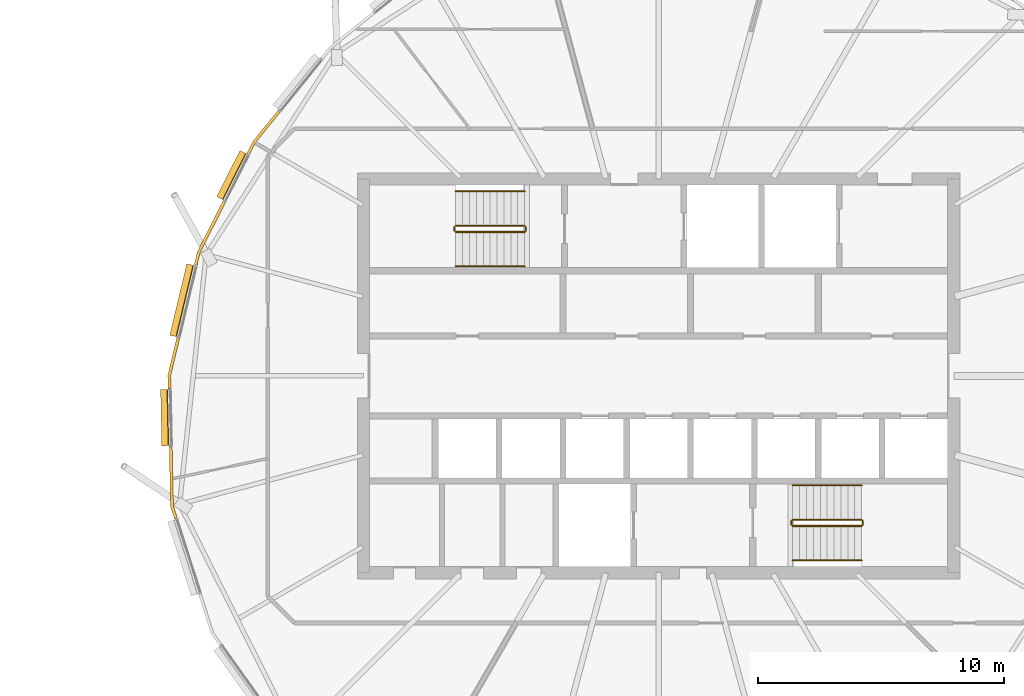
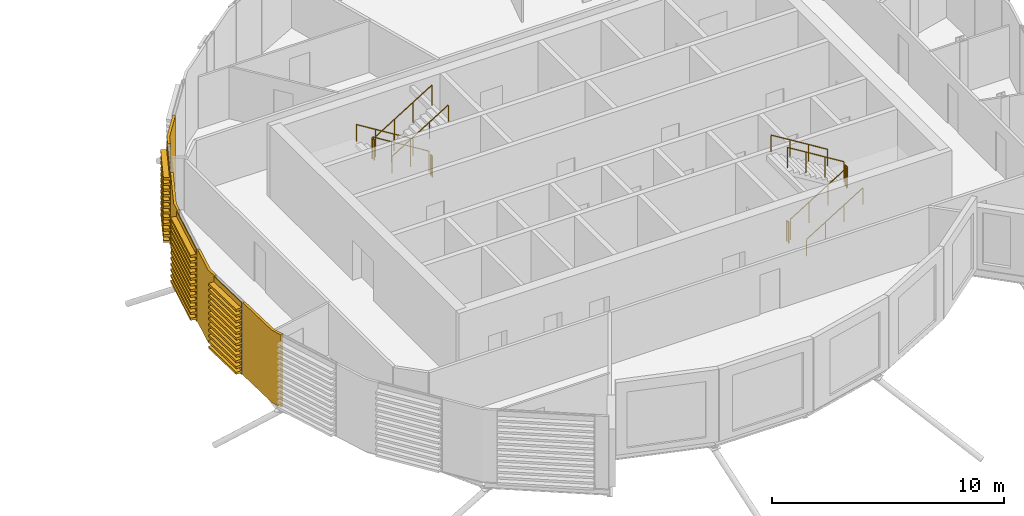
# One storey, part 39 of 41: 12 railings, 7 coverings.
"""IFC4 building model written with IfcOpenShell, lengths in metres."""

from ifc_helpers import new_model, si_unit, direction, frame, origin, origin_2d, place, context, subcontext, project, spatial, polyline, circle, outline, extrude, material, layer, layer_set, material_profile, profile_set, type_object, element, save


model = new_model("IFC4")

# Units and contexts
model_context = context("Model", 3, precision=1e-05, world=origin(), true_north=direction((0.0, 1.0)))
body_context = subcontext(model_context, "Body", "Model", "MODEL_VIEW")
ifc_project = project(units=[si_unit("LENGTHUNIT", "METRE"), si_unit("AREAUNIT", "SQUARE_METRE"), si_unit("VOLUMEUNIT", "CUBIC_METRE"), si_unit("PLANEANGLEUNIT", "RADIAN"), si_unit("MASSUNIT", "GRAM", prefix="KILO")], contexts=[model_context])

# Site, building, storey
site_placement = place(None, origin())
site = spatial("IfcSite", under=ifc_project, at=site_placement, CompositionType="ELEMENT")
building_placement = place(site_placement, origin())
building = spatial("IfcBuilding", under=site, at=building_placement, Name="Rimbun Link Towers", CompositionType="ELEMENT")
storey_placement = place(building_placement, frame((0.0, 0.0, 214.300048828125)))
storey = spatial("IfcBuildingStorey", under=building, at=storey_placement, Name="L52", CompositionType="ELEMENT", Elevation=214.300048828125)

# Coverings
ifc_material_1 = material(Name="Terracotta", Category="masonry")
ifc_layer = layer(ifc_material_1, 0.1201171875)
ifc_layer_set = layer_set([ifc_layer], Name="LINK PIER terracotta cladding 120")
covering_type_1 = type_object("IfcCoveringType", Name="LINK PIER terracotta cladding 120", PredefinedType="CLADDING", material=ifc_layer_set)
covering_1_placement = place(storey_placement, origin())
element("IfcCovering", 1, at=covering_1_placement, inside=storey, type_object=covering_type_1, Name="LINK PIER cladding", PredefinedType="CLADDING", context=body_context, shape_type="SweptSolid", body=[
    extrude(outline(polyline([(15.120361328125, 9.001708984375), (15.353759765625, 9.46630859375), (16.373046875, 10.7255859375), (16.27978515625, 10.801025390625), (15.252197265625, 9.53173828125), (15.01318359375, 9.0556640625), (15.120361328125, 9.001708984375)])), origin(), (0.0, 0.0, 1.0), 3.800048828125),
])
covering_2_placement = place(storey_placement, origin())
element("IfcCovering", 2, at=covering_2_placement, inside=storey, type_object=covering_type_1, Name="LINK PIER cladding", PredefinedType="CLADDING", context=body_context, shape_type="SweptSolid", body=[
    extrude(outline(polyline([(12.9873046875, 4.4892578125), (13.1083984375, 4.9951171875), (14.1494140625, 7.068359375), (14.042236328125, 7.1220703125), (12.994873046875, 5.036376953125), (12.87060546875, 4.51708984375), (12.9873046875, 4.4892578125)])), origin(), (0.0, 0.0, 1.0), 3.800048828125),
])
covering_3_placement = place(storey_placement, origin())
element("IfcCovering", 3, at=covering_3_placement, inside=storey, type_object=covering_type_1, Name="LINK PIER cladding", PredefinedType="CLADDING", context=body_context, shape_type="SweptSolid", body=[
    extrude(outline(polyline([(11.924560546875, -0.519775390625), (11.913818359375, 0.0), (12.27880859375, 1.52685546875), (12.162109375, 1.554931640625), (11.79345703125, 0.012939453125), (11.8046875, -0.5224609375), (11.924560546875, -0.519775390625)])), origin(), (0.0, 0.0, 1.0), 3.800048828125),
])
covering_4_placement = place(storey_placement, origin())
element("IfcCovering", 4, at=covering_4_placement, inside=storey, type_object=covering_type_1, Name="LINK PIER cladding", PredefinedType="CLADDING", context=body_context, shape_type="SweptSolid", body=[
    extrude(outline(polyline([(12.1826171875, -5.78076171875), (12.02490234375, -5.285400390625), (11.97412109375, -2.86572265625), (11.85400390625, -2.868408203125), (11.9052734375, -5.30517578125), (12.068359375, -5.817138671875), (12.1826171875, -5.78076171875)])), origin(), (0.0, 0.0, 1.0), 3.800048828125),
])

# Railings
ifc_material_2 = material(Name="Stainless steel grade 316", Category="steel")
railing_type_1 = type_object("IfcRailingType", Name="Stair guard", PredefinedType="GUARDRAIL", material=ifc_material_2)
railing_1_placement = place(storey_placement, frame((26.300048828125, 6.10009765625, 0.172607421875)))
element("IfcRailing", 5, at=railing_1_placement, inside=storey, type_object=railing_type_1, Name="L52 ST3 stair guard 1", PredefinedType="GUARDRAIL", context=body_context, shape_type="SweptSolid", body=[
    extrude(circle(Radius=0.02392578125, at=origin_2d()), frame((0.0, 0.0, 1.076171875), z_axis=(-0.851089632645, 0.0, 0.525020415988), x_axis=(0.0, -1.0, 0.0)), (0.0, 0.0, 1.0), 3.2900390625),
    extrude(circle(Radius=0.02099609375, at=origin_2d()), origin(), (0.0, 0.0, 1.0), 1.052001953125),
    extrude(circle(Radius=0.02099609375, at=origin_2d()), frame((-0.933349609375, 0.0, 0.57568359375)), (0.0, 0.0, 1.0), 1.052001953125),
    extrude(circle(Radius=0.02099609375, at=origin_2d()), frame((-1.86669921875, 0.0, 1.151611328125)), (0.0, 0.0, 1.0), 1.052001953125),
    extrude(circle(Radius=0.02099609375, at=origin_2d()), frame((-2.800048828125, 0.0, 1.727294921875)), (0.0, 0.0, 1.0), 1.052001953125),
])
railing_2_placement = place(storey_placement, frame((23.449951171875, 6.050048828125, 1.89990234375)))
element("IfcRailing", 6, at=railing_2_placement, inside=storey, type_object=railing_type_1, Name="L52 ST3 stair guard 2", PredefinedType="GUARDRAIL", context=body_context, shape_type="SweptSolid", body=[
    extrude(circle(Radius=0.02392578125, at=origin_2d()), frame((0.0, 0.0, 1.076171875), z_axis=(0.0, -1.0, 0.0), x_axis=(1.0, 0.0, 0.0)), (0.0, 0.0, 1.0), 0.150146484375),
    extrude(circle(Radius=0.02099609375, at=origin_2d()), origin(), (0.0, 0.0, 1.0), 1.052001953125),
    extrude(circle(Radius=0.02099609375, at=origin_2d()), frame((0.0, -0.150146484375, 0.0)), (0.0, 0.0, 1.0), 1.052001953125),
])
railing_3_placement = place(storey_placement, frame((23.5, 5.85009765625, 2.07275390625)))
element("IfcRailing", 7, at=railing_3_placement, inside=storey, type_object=railing_type_1, Name="L52 ST3 stair guard 3", PredefinedType="GUARDRAIL", context=body_context, shape_type="SweptSolid", body=[
    extrude(circle(Radius=0.02392578125, at=origin_2d()), frame((0.0, 0.0, 1.076171875), z_axis=(0.851089632645, 0.0, 0.525020415988), x_axis=(0.0, 1.0, 0.0)), (0.0, 0.0, 1.0), 3.2900390625),
    extrude(circle(Radius=0.02099609375, at=origin_2d()), origin(), (0.0, 0.0, 1.0), 1.052001953125),
    extrude(circle(Radius=0.02099609375, at=origin_2d()), frame((0.933349609375, 0.0, 0.57568359375)), (0.0, 0.0, 1.0), 1.052001953125),
    extrude(circle(Radius=0.02099609375, at=origin_2d()), frame((1.86669921875, 0.0, 1.151611328125)), (0.0, 0.0, 1.0), 1.052001953125),
    extrude(circle(Radius=0.02099609375, at=origin_2d()), frame((2.800048828125, 0.0, 1.727294921875)), (0.0, 0.0, 1.0), 1.052001953125),
])
railing_4_placement = place(storey_placement, frame((26.35009765625, 6.050048828125, 0.0)))
element("IfcRailing", 8, at=railing_4_placement, inside=storey, type_object=railing_type_1, Name="L52 ST3 stair guard 4", PredefinedType="GUARDRAIL", context=body_context, shape_type="SweptSolid", body=[
    extrude(circle(Radius=0.02392578125, at=origin_2d()), frame((0.0, 0.0, 1.076171875), z_axis=(0.0, -1.0, 0.0), x_axis=(1.0, 0.0, 0.0)), (0.0, 0.0, 1.0), 0.150146484375),
    extrude(circle(Radius=0.02099609375, at=origin_2d()), origin(), (0.0, 0.0, 1.0), 1.052001953125),
    extrude(circle(Radius=0.02099609375, at=origin_2d()), frame((0.0, -0.150146484375, 0.0)), (0.0, 0.0, 1.0), 1.052001953125),
])
railing_5_placement = place(storey_placement, frame((37.199951171875, -6.10009765625, 0.172607421875)))
element("IfcRailing", 9, at=railing_5_placement, inside=storey, type_object=railing_type_1, Name="L52 ST4 stair guard 1", PredefinedType="GUARDRAIL", context=body_context, shape_type="SweptSolid", body=[
    extrude(circle(Radius=0.02392578125, at=origin_2d()), frame((0.0, 0.0, 1.076171875), z_axis=(0.851089632645, 0.0, 0.525020415988), x_axis=(0.0, 1.0, 0.0)), (0.0, 0.0, 1.0), 3.2900390625),
    extrude(circle(Radius=0.02099609375, at=origin_2d()), origin(), (0.0, 0.0, 1.0), 1.052001953125),
    extrude(circle(Radius=0.02099609375, at=origin_2d()), frame((0.933349609375, 0.0, 0.57568359375)), (0.0, 0.0, 1.0), 1.052001953125),
    extrude(circle(Radius=0.02099609375, at=origin_2d()), frame((1.86669921875, 0.0, 1.151611328125)), (0.0, 0.0, 1.0), 1.052001953125),
    extrude(circle(Radius=0.02099609375, at=origin_2d()), frame((2.800048828125, 0.0, 1.727294921875)), (0.0, 0.0, 1.0), 1.052001953125),
])
railing_6_placement = place(storey_placement, frame((40.050048828125, -6.050048828125, 1.89990234375)))
element("IfcRailing", 10, at=railing_6_placement, inside=storey, type_object=railing_type_1, Name="L52 ST4 stair guard 2", PredefinedType="GUARDRAIL", context=body_context, shape_type="SweptSolid", body=[
    extrude(circle(Radius=0.02392578125, at=origin_2d()), frame((0.0, 0.0, 1.076171875), z_axis=(0.0, 1.0, 0.0), x_axis=(-1.0, 0.0, 0.0)), (0.0, 0.0, 1.0), 0.150146484375),
    extrude(circle(Radius=0.02099609375, at=origin_2d()), origin(), (0.0, 0.0, 1.0), 1.052001953125),
    extrude(circle(Radius=0.02099609375, at=origin_2d()), frame((0.0, 0.150146484375, 0.0)), (0.0, 0.0, 1.0), 1.052001953125),
])
railing_7_placement = place(storey_placement, frame((40.0, -5.85009765625, 2.07275390625)))
element("IfcRailing", 11, at=railing_7_placement, inside=storey, type_object=railing_type_1, Name="L52 ST4 stair guard 3", PredefinedType="GUARDRAIL", context=body_context, shape_type="SweptSolid", body=[
    extrude(circle(Radius=0.02392578125, at=origin_2d()), frame((0.0, 0.0, 1.076171875), z_axis=(-0.851089632645, 0.0, 0.525020415988), x_axis=(0.0, -1.0, 0.0)), (0.0, 0.0, 1.0), 3.2900390625),
    extrude(circle(Radius=0.02099609375, at=origin_2d()), origin(), (0.0, 0.0, 1.0), 1.052001953125),
    extrude(circle(Radius=0.02099609375, at=origin_2d()), frame((-0.933349609375, 0.0, 0.57568359375)), (0.0, 0.0, 1.0), 1.052001953125),
    extrude(circle(Radius=0.02099609375, at=origin_2d()), frame((-1.86669921875, 0.0, 1.151611328125)), (0.0, 0.0, 1.0), 1.052001953125),
    extrude(circle(Radius=0.02099609375, at=origin_2d()), frame((-2.800048828125, 0.0, 1.727294921875)), (0.0, 0.0, 1.0), 1.052001953125),
])
railing_8_placement = place(storey_placement, frame((37.14990234375, -6.050048828125, 0.0)))
element("IfcRailing", 12, at=railing_8_placement, inside=storey, type_object=railing_type_1, Name="L52 ST4 stair guard 4", PredefinedType="GUARDRAIL", context=body_context, shape_type="SweptSolid", body=[
    extrude(circle(Radius=0.02392578125, at=origin_2d()), frame((0.0, 0.0, 1.076171875), z_axis=(0.0, 1.0, 0.0), x_axis=(-1.0, 0.0, 0.0)), (0.0, 0.0, 1.0), 0.150146484375),
    extrude(circle(Radius=0.02099609375, at=origin_2d()), origin(), (0.0, 0.0, 1.0), 1.052001953125),
    extrude(circle(Radius=0.02099609375, at=origin_2d()), frame((0.0, 0.150146484375, 0.0)), (0.0, 0.0, 1.0), 1.052001953125),
])
ifc_material_3 = material(Name="Stainless steel grade 316", Category="steel")
railing_type_2 = type_object("IfcRailingType", Name="Stair handrail", PredefinedType="HANDRAIL", material=ifc_material_3)
railing_9_placement = place(storey_placement, frame((26.300048828125, 7.5, 0.172607421875)))
element("IfcRailing", 13, at=railing_9_placement, inside=storey, type_object=railing_type_2, Name="L52 ST3 stair handrail 1", PredefinedType="HANDRAIL", context=body_context, shape_type="SweptSolid", body=[
    extrude(circle(Radius=0.02392578125, at=origin_2d()), frame((0.0, 0.0, 0.8759765625), z_axis=(-0.851089632645, 0.0, 0.525020415988), x_axis=(0.0, -1.0, 0.0)), (0.0, 0.0, 1.0), 3.2900390625),
    extrude(circle(Radius=0.02099609375, at=origin_2d()), origin(), (0.0, 0.0, 1.0), 0.851806640625),
    extrude(circle(Radius=0.02099609375, at=origin_2d()), frame((-0.933349609375, 0.0, 0.57568359375)), (0.0, 0.0, 1.0), 0.851806640625),
    extrude(circle(Radius=0.02099609375, at=origin_2d()), frame((-1.86669921875, 0.0, 1.151611328125)), (0.0, 0.0, 1.0), 0.851806640625),
    extrude(circle(Radius=0.02099609375, at=origin_2d()), frame((-2.800048828125, 0.0, 1.727294921875)), (0.0, 0.0, 1.0), 0.851806640625),
])
for number, where, name in (
    (14, (23.5, 4.449951171875, 2.07275390625), "L52 ST3 stair handrail 2"),
    (15, (37.199951171875, -7.5, 0.172607421875), "L52 ST4 stair handrail 1"),
):
    element("IfcRailing", number, at=place(storey_placement, frame(where)), inside=storey, type_object=railing_type_2, Name=name, PredefinedType="HANDRAIL", context=body_context, shape_type="SweptSolid", body=[
        extrude(circle(Radius=0.02392578125, at=origin_2d()), frame((0.0, 0.0, 0.8759765625), z_axis=(0.851089632645, 0.0, 0.525020415988), x_axis=(0.0, 1.0, 0.0)), (0.0, 0.0, 1.0), 3.2900390625),
        extrude(circle(Radius=0.02099609375, at=origin_2d()), origin(), (0.0, 0.0, 1.0), 0.851806640625),
        extrude(circle(Radius=0.02099609375, at=origin_2d()), frame((0.933349609375, 0.0, 0.57568359375)), (0.0, 0.0, 1.0), 0.851806640625),
        extrude(circle(Radius=0.02099609375, at=origin_2d()), frame((1.86669921875, 0.0, 1.151611328125)), (0.0, 0.0, 1.0), 0.851806640625),
        extrude(circle(Radius=0.02099609375, at=origin_2d()), frame((2.800048828125, 0.0, 1.727294921875)), (0.0, 0.0, 1.0), 0.851806640625),
    ])
railing_10_placement = place(storey_placement, frame((40.0, -4.449951171875, 2.07275390625)))
element("IfcRailing", 16, at=railing_10_placement, inside=storey, type_object=railing_type_2, Name="L52 ST4 stair handrail 2", PredefinedType="HANDRAIL", context=body_context, shape_type="SweptSolid", body=[
    extrude(circle(Radius=0.02392578125, at=origin_2d()), frame((0.0, 0.0, 0.8759765625), z_axis=(-0.851089632645, 0.0, 0.525020415988), x_axis=(0.0, -1.0, 0.0)), (0.0, 0.0, 1.0), 3.2900390625),
    extrude(circle(Radius=0.02099609375, at=origin_2d()), origin(), (0.0, 0.0, 1.0), 0.851806640625),
    extrude(circle(Radius=0.02099609375, at=origin_2d()), frame((-0.933349609375, 0.0, 0.57568359375)), (0.0, 0.0, 1.0), 0.851806640625),
    extrude(circle(Radius=0.02099609375, at=origin_2d()), frame((-1.86669921875, 0.0, 1.151611328125)), (0.0, 0.0, 1.0), 0.851806640625),
    extrude(circle(Radius=0.02099609375, at=origin_2d()), frame((-2.800048828125, 0.0, 1.727294921875)), (0.0, 0.0, 1.0), 0.851806640625),
])

# Coverings
ifc_material_4 = material(Name="Terracotta", Category="masonry")
ifc_material_profile = material_profile(ifc_material_4, outline(polyline([(0.123046875, 0.0), (0.1630859375, 0.0), (0.1630859375, 0.10009765625), (0.423095703125, 0.10009765625), (0.423095703125, 0.219970703125), (0.1630859375, 0.219970703125), (0.1630859375, 0.39990234375), (0.423095703125, 0.39990234375), (0.423095703125, 0.52001953125), (0.1630859375, 0.52001953125), (0.1630859375, 0.699951171875), (0.423095703125, 0.699951171875), (0.423095703125, 0.820068359375), (0.1630859375, 0.820068359375), (0.1630859375, 1.0), (0.423095703125, 1.0), (0.423095703125, 1.1201171875), (0.1630859375, 1.1201171875), (0.1630859375, 1.300048828125), (0.423095703125, 1.300048828125), (0.423095703125, 1.419921875), (0.1630859375, 1.419921875), (0.1630859375, 1.60009765625), (0.423095703125, 1.60009765625), (0.423095703125, 1.719970703125), (0.1630859375, 1.719970703125), (0.1630859375, 1.89990234375), (0.423095703125, 1.89990234375), (0.423095703125, 2.02001953125), (0.1630859375, 2.02001953125), (0.1630859375, 2.199951171875), (0.423095703125, 2.199951171875), (0.423095703125, 2.320068359375), (0.1630859375, 2.320068359375), (0.1630859375, 2.5), (0.423095703125, 2.5), (0.423095703125, 2.6201171875), (0.1630859375, 2.6201171875), (0.1630859375, 2.800048828125), (0.423095703125, 2.800048828125), (0.423095703125, 2.919921875), (0.1630859375, 2.919921875), (0.1630859375, 3.10009765625), (0.423095703125, 3.10009765625), (0.423095703125, 3.219970703125), (0.1630859375, 3.219970703125), (0.1630859375, 3.39990234375), (0.423095703125, 3.39990234375), (0.423095703125, 3.52001953125), (0.1630859375, 3.52001953125), (0.1630859375, 3.800048828125), (0.123046875, 3.800048828125), (0.123046875, 0.0)])), Name="BAGUETTE 120X300")
ifc_profile_set = profile_set([ifc_material_profile], Name="Terracotta")
covering_type_2 = type_object("IfcCoveringType", Name="TERRACOTTA BAGUETTE 120X300 H3800", PredefinedType="CLADDING", material=ifc_profile_set)
covering_5_placement = place(storey_placement, frame((14.162841796875, 7.094970703125, 0.0), z_axis=(0.448791270333, 0.893636612765, 0.0), x_axis=(-0.893636612765, 0.448791270333, 0.0)))
element("IfcCovering", 17, at=covering_5_placement, inside=storey, type_object=covering_type_2, Name="TERRACOTTA BAGUETTE", PredefinedType="CLADDING", context=body_context, shape_type="SweptSolid", body=[
    extrude(outline(polyline([(0.123046875, 0.0), (0.1630859375, 0.0), (0.1630859375, 0.10009765625), (0.423095703125, 0.10009765625), (0.423095703125, 0.219970703125), (0.1630859375, 0.219970703125), (0.1630859375, 0.39990234375), (0.423095703125, 0.39990234375), (0.423095703125, 0.52001953125), (0.1630859375, 0.52001953125), (0.1630859375, 0.699951171875), (0.423095703125, 0.699951171875), (0.423095703125, 0.820068359375), (0.1630859375, 0.820068359375), (0.1630859375, 1.0), (0.423095703125, 1.0), (0.423095703125, 1.1201171875), (0.1630859375, 1.1201171875), (0.1630859375, 1.300048828125), (0.423095703125, 1.300048828125), (0.423095703125, 1.419921875), (0.1630859375, 1.419921875), (0.1630859375, 1.60009765625), (0.423095703125, 1.60009765625), (0.423095703125, 1.719970703125), (0.1630859375, 1.719970703125), (0.1630859375, 1.89990234375), (0.423095703125, 1.89990234375), (0.423095703125, 2.02001953125), (0.1630859375, 2.02001953125), (0.1630859375, 2.199951171875), (0.423095703125, 2.199951171875), (0.423095703125, 2.320068359375), (0.1630859375, 2.320068359375), (0.1630859375, 2.5), (0.423095703125, 2.5), (0.423095703125, 2.6201171875), (0.1630859375, 2.6201171875), (0.1630859375, 2.800048828125), (0.423095703125, 2.800048828125), (0.423095703125, 2.919921875), (0.1630859375, 2.919921875), (0.1630859375, 3.10009765625), (0.423095703125, 3.10009765625), (0.423095703125, 3.219970703125), (0.1630859375, 3.219970703125), (0.1630859375, 3.39990234375), (0.423095703125, 3.39990234375), (0.423095703125, 3.52001953125), (0.1630859375, 3.52001953125), (0.1630859375, 3.800048828125), (0.123046875, 3.800048828125), (0.123046875, 0.0)])), origin(), (0.0, 0.0, 1.0), 2.103515625),
])
covering_6_placement = place(storey_placement, frame((12.285888671875, 1.55615234375, 0.0), z_axis=(0.23261524575, 0.972568839437, 0.0), x_axis=(-0.972568839437, 0.23261524575, 0.0)))
element("IfcCovering", 18, at=covering_6_placement, inside=storey, type_object=covering_type_2, Name="TERRACOTTA BAGUETTE", PredefinedType="CLADDING", context=body_context, shape_type="SweptSolid", body=[
    extrude(outline(polyline([(0.123046875, 0.0), (0.1630859375, 0.0), (0.1630859375, 0.10009765625), (0.423095703125, 0.10009765625), (0.423095703125, 0.219970703125), (0.1630859375, 0.219970703125), (0.1630859375, 0.39990234375), (0.423095703125, 0.39990234375), (0.423095703125, 0.52001953125), (0.1630859375, 0.52001953125), (0.1630859375, 0.699951171875), (0.423095703125, 0.699951171875), (0.423095703125, 0.820068359375), (0.1630859375, 0.820068359375), (0.1630859375, 1.0), (0.423095703125, 1.0), (0.423095703125, 1.1201171875), (0.1630859375, 1.1201171875), (0.1630859375, 1.300048828125), (0.423095703125, 1.300048828125), (0.423095703125, 1.419921875), (0.1630859375, 1.419921875), (0.1630859375, 1.60009765625), (0.423095703125, 1.60009765625), (0.423095703125, 1.719970703125), (0.1630859375, 1.719970703125), (0.1630859375, 1.89990234375), (0.423095703125, 1.89990234375), (0.423095703125, 2.02001953125), (0.1630859375, 2.02001953125), (0.1630859375, 2.199951171875), (0.423095703125, 2.199951171875), (0.423095703125, 2.320068359375), (0.1630859375, 2.320068359375), (0.1630859375, 2.5), (0.423095703125, 2.5), (0.423095703125, 2.6201171875), (0.1630859375, 2.6201171875), (0.1630859375, 2.800048828125), (0.423095703125, 2.800048828125), (0.423095703125, 2.919921875), (0.1630859375, 2.919921875), (0.1630859375, 3.10009765625), (0.423095703125, 3.10009765625), (0.423095703125, 3.219970703125), (0.1630859375, 3.219970703125), (0.1630859375, 3.39990234375), (0.423095703125, 3.39990234375), (0.423095703125, 3.52001953125), (0.1630859375, 3.52001953125), (0.1630859375, 3.800048828125), (0.123046875, 3.800048828125), (0.123046875, 0.0)])), origin(), (0.0, 0.0, 1.0), 2.98583984375),
])
covering_7_placement = place(storey_placement, frame((11.973388671875, -2.8359375, 0.0), z_axis=(-0.021033363792, 0.999778774333, 0.0), x_axis=(-0.999778774333, -0.021033363792, 0.0)))
element("IfcCovering", 19, at=covering_7_placement, inside=storey, type_object=covering_type_2, Name="TERRACOTTA BAGUETTE", PredefinedType="CLADDING", context=body_context, shape_type="SweptSolid", body=[
    extrude(outline(polyline([(0.123046875, 0.0), (0.1630859375, 0.0), (0.1630859375, 0.10009765625), (0.423095703125, 0.10009765625), (0.423095703125, 0.219970703125), (0.1630859375, 0.219970703125), (0.1630859375, 0.39990234375), (0.423095703125, 0.39990234375), (0.423095703125, 0.52001953125), (0.1630859375, 0.52001953125), (0.1630859375, 0.699951171875), (0.423095703125, 0.699951171875), (0.423095703125, 0.820068359375), (0.1630859375, 0.820068359375), (0.1630859375, 1.0), (0.423095703125, 1.0), (0.423095703125, 1.1201171875), (0.1630859375, 1.1201171875), (0.1630859375, 1.300048828125), (0.423095703125, 1.300048828125), (0.423095703125, 1.419921875), (0.1630859375, 1.419921875), (0.1630859375, 1.60009765625), (0.423095703125, 1.60009765625), (0.423095703125, 1.719970703125), (0.1630859375, 1.719970703125), (0.1630859375, 1.89990234375), (0.423095703125, 1.89990234375), (0.423095703125, 2.02001953125), (0.1630859375, 2.02001953125), (0.1630859375, 2.199951171875), (0.423095703125, 2.199951171875), (0.423095703125, 2.320068359375), (0.1630859375, 2.320068359375), (0.1630859375, 2.5), (0.423095703125, 2.5), (0.423095703125, 2.6201171875), (0.1630859375, 2.6201171875), (0.1630859375, 2.800048828125), (0.423095703125, 2.800048828125), (0.423095703125, 2.919921875), (0.1630859375, 2.919921875), (0.1630859375, 3.10009765625), (0.423095703125, 3.10009765625), (0.423095703125, 3.219970703125), (0.1630859375, 3.219970703125), (0.1630859375, 3.39990234375), (0.423095703125, 3.39990234375), (0.423095703125, 3.52001953125), (0.1630859375, 3.52001953125), (0.1630859375, 3.800048828125), (0.123046875, 3.800048828125), (0.123046875, 0.0)])), origin(), (0.0, 0.0, 1.0), 2.28662109375),
])

save(model, "model.ifc")
